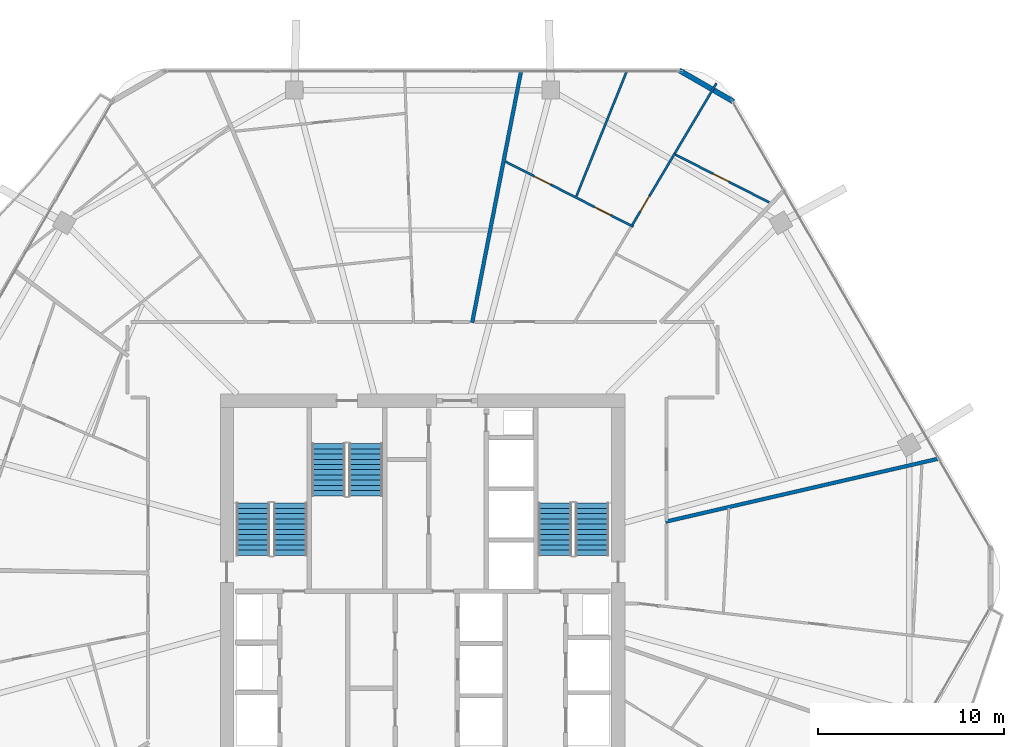
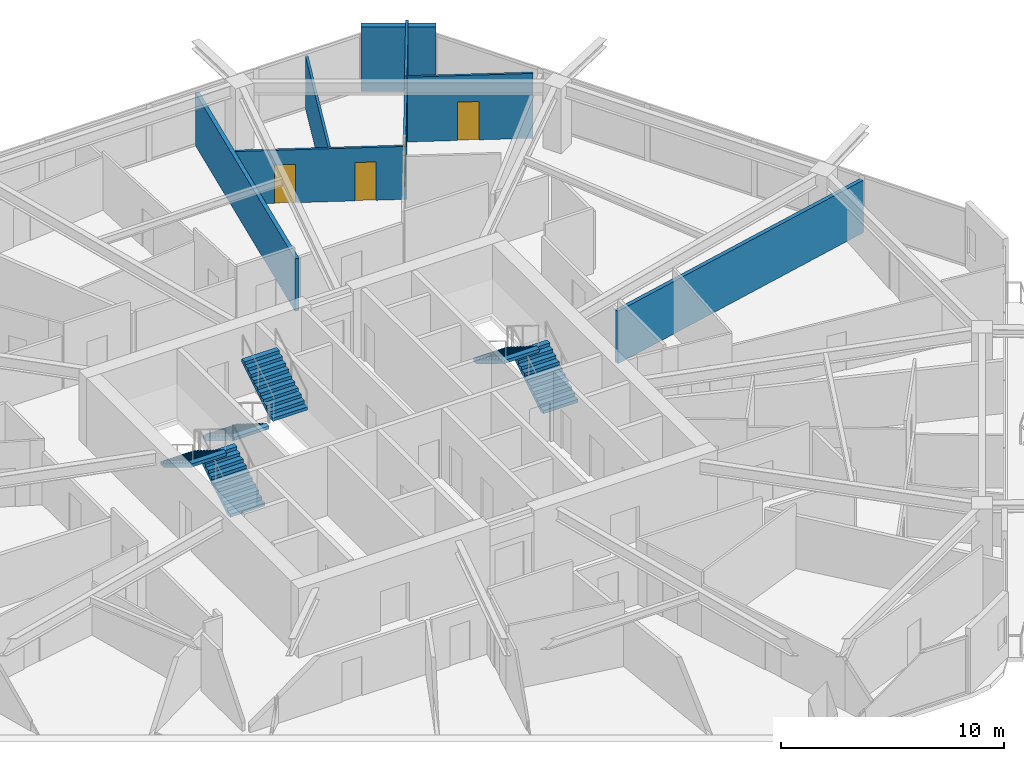
# One storey, part 22 of 26: 8 walls, 6 stair flights, 4 doors, 4 openings, 3 elements without a shape of their own.
"""IFC4 building model written with IfcOpenShell, lengths in metres."""

from ifc_helpers import new_model, si_unit, direction, frame, frame_2d, origin, place, context, subcontext, project, spatial, polyline, rectangle, outline, extrude, material, layer, layer_set, type_object, element, fill, aggregate, save


model = new_model("IFC4")

# Units and contexts
model_context = context("Model", 3, precision=1e-05, world=origin(), true_north=direction((0.0, 1.0)))
body_context = subcontext(model_context, "Body", "Model", "MODEL_VIEW")
ifc_project = project(units=[si_unit("LENGTHUNIT", "METRE"), si_unit("AREAUNIT", "SQUARE_METRE"), si_unit("VOLUMEUNIT", "CUBIC_METRE"), si_unit("PLANEANGLEUNIT", "RADIAN"), si_unit("MASSUNIT", "GRAM", prefix="KILO")], contexts=[model_context])

# Site, building, storey
site_placement = place(None, origin())
site = spatial("IfcSite", under=ifc_project, at=site_placement, CompositionType="ELEMENT")
building_placement = place(site_placement, origin())
building = spatial("IfcBuilding", under=site, at=building_placement, Name="Zuhravey Tower", CompositionType="ELEMENT")
storey_placement = place(building_placement, frame((0.0, 0.0, 211.199951171875)))
storey = spatial("IfcBuildingStorey", under=building, at=storey_placement, Name="L53", CompositionType="ELEMENT", Elevation=211.199951171875)

# Walls
ifc_material_1 = material(Name="Precast concrete C40/50", Category="concrete")
ifc_layer_1 = layer(ifc_material_1, 0.280029296875)
ifc_layer_set_1 = layer_set([ifc_layer_1], Name="Precast concrete C40/50")
wall_type_1 = type_object("IfcWallType", Name="Crown Architectural Wall 280", PredefinedType="SOLIDWALL", material=ifc_layer_set_1)
wall_1_placement = place(storey_placement, frame((49.77880859375, 59.230712890625, 0.0), z_axis=(0.0, 0.0, 1.0), x_axis=(0.866020068361, -0.500009241111, 0.0)))
element("IfcWall", 1, at=wall_1_placement, inside=storey, type_object=wall_type_1, Name="L53 Rounded Corner Closure Wall EW28-10", PredefinedType="SOLIDWALL", context=body_context, shape_type="SweptSolid", body=[
    extrude(rectangle(XDim=3.365234375, YDim=0.280029296875, at=frame_2d((1.6826171875, 0.0))), origin(), (0.0, 0.0, 1.0), 3.550048828125),
])
ifc_material_2 = material(Name="Gypsum double-stud party assembly")
ifc_layer_2 = layer(ifc_material_2, 0.199951171875)
ifc_layer_set_2 = layer_set([ifc_layer_2], Name="Gypsum double-stud party assembly")
wall_type_2 = type_object("IfcWallType", Name="Inter-Tenancy Party Wall 200", PredefinedType="PARTITIONING", material=ifc_layer_set_2)
wall_2_placement = place(storey_placement, frame((38.6611328125, 45.68994140625, 0.0), z_axis=(0.0, 0.0, 1.0), x_axis=(0.190808808393, 0.981627219794, 0.0)))
element("IfcWall", 2, at=wall_2_placement, inside=storey, type_object=wall_type_2, Name="L53 IW20 Partition 081", PredefinedType="PARTITIONING", context=body_context, shape_type="SweptSolid", body=[
    extrude(rectangle(XDim=13.74560546875, YDim=0.199951171875, at=frame_2d((6.872802734375, 0.0))), origin(), (0.0, 0.0, 1.0), 2.8701171875),
])
wall_3_placement = place(storey_placement, frame((49.0400390625, 35.010498046875, 0.0), z_axis=(0.0, 0.0, 1.0), x_axis=(0.974369033518, 0.224955521206, 0.0)))
element("IfcWall", 3, at=wall_3_placement, inside=storey, type_object=wall_type_2, Name="L53 IW20 Partition 121", PredefinedType="PARTITIONING", context=body_context, shape_type="SweptSolid", body=[
    extrude(rectangle(XDim=15.0419921875, YDim=0.199951171875, at=frame_2d((7.52099609375, 0.0))), origin(), (0.0, 0.0, 1.0), 2.8701171875),
])

# Wall, openings, doors
ifc_material_3 = material(Name="Gypsum metal-stud partition")
ifc_layer_3 = layer(ifc_material_3, 0.1201171875)
ifc_layer_set_3 = layer_set([ifc_layer_3], Name="Gypsum metal-stud partition")
wall_type_3 = type_object("IfcWallType", Name="Unit Internal Partition 120", PredefinedType="PARTITIONING", material=ifc_layer_set_3)
wall_4_placement = place(storey_placement, frame((47.310302734375, 50.837890625, 0.0), z_axis=(0.0, 0.0, 1.0), x_axis=(-0.890999610934, 0.45400406751, 0.0)))
wall_4 = element("IfcWall", 4, at=wall_4_placement, inside=storey, type_object=wall_type_3, Name="L53 IW12 Partition 020", PredefinedType="PARTITIONING", context=body_context, shape_type="SweptSolid", body=[
    extrude(rectangle(XDim=7.7080078125, YDim=0.1201171875, at=frame_2d((3.85400390625, 0.0))), origin(), (0.0, 0.0, 1.0), 2.900146484375),
])
opening_1_placement = place(wall_4_placement, frame((1.376708984375, 0.0, 0.0)))
opening_1 = element("IfcOpeningElement", 5, at=opening_1_placement, cuts=wall_4, Name="Opening IND1", PredefinedType="OPENING", context=body_context, shape_type="SweptSolid", body=[
    extrude(rectangle(XDim=0.949951171875, YDim=2.10009765625, at=frame_2d((0.47509765625, 1.050048828125))), frame((0.0, 0.072021484375, 0.0), z_axis=(0.0, -1.0, 0.0), x_axis=(1.0, 0.0, 0.0)), (0.0, 0.0, 1.0), 0.14404296875),
])
opening_2_placement = place(wall_4_placement, frame((4.990478515625, 0.0, 0.0)))
opening_2 = element("IfcOpeningElement", 6, at=opening_2_placement, cuts=wall_4, Name="Opening IND1", PredefinedType="OPENING", context=body_context, shape_type="SweptSolid", body=[
    extrude(rectangle(XDim=0.949951171875, YDim=2.10009765625, at=frame_2d((0.47509765625, 1.050048828125))), frame((0.0, 0.072021484375, 0.0), z_axis=(0.0, -1.0, 0.0), x_axis=(1.0, 0.0, 0.0)), (0.0, 0.0, 1.0), 0.14404296875),
])
ifc_material_4 = material(Name="Painted engineered timber leaf", Category="wood")
door_type = type_object("IfcDoorType", Name="Internal Room & Bedroom Door 950x2100", OperationType="NOTDEFINED", PredefinedType="DOOR", material=ifc_material_4)
door_1_placement = place(opening_1_placement, frame((0.949951171875, 0.0, 0.0), z_axis=(0.0, 0.0, 1.0), x_axis=(-1.0, 0.0, 0.0)))
door_1 = element("IfcDoor", 7, at=door_1_placement, inside=storey, type_object=door_type, Name="Apartment L53-01 Family Study Door", OperationType="SINGLE_SWING_LEFT", OverallHeight=2.10009765625, OverallWidth=0.949951171875, PredefinedType="DOOR", context=body_context, shape_type="SweptSolid", body=[
    extrude(rectangle(XDim=0.949951171875, YDim=2.10009765625, at=frame_2d((0.47509765625, 1.050048828125))), frame((0.0, 0.02490234375, 0.0), z_axis=(0.0, -1.0, 0.0), x_axis=(1.0, 0.0, 0.0)), (0.0, 0.0, 1.0), 0.050048828125),
])
fill(opening_1, door_1)
door_2_placement = place(opening_2_placement, frame((0.949951171875, 0.0, 0.0), z_axis=(0.0, 0.0, 1.0), x_axis=(-1.0, 0.0, 0.0)))
door_2 = element("IfcDoor", 8, at=door_2_placement, inside=storey, type_object=door_type, Name="Apartment L53-01 Dining Room Door", OperationType="SINGLE_SWING_RIGHT", OverallHeight=2.10009765625, OverallWidth=0.949951171875, PredefinedType="DOOR", context=body_context, shape_type="SweptSolid", body=[
    extrude(rectangle(XDim=0.949951171875, YDim=2.10009765625, at=frame_2d((0.47509765625, 1.050048828125))), frame((0.0, 0.02490234375, 0.0), z_axis=(0.0, -1.0, 0.0), x_axis=(1.0, 0.0, 0.0)), (0.0, 0.0, 1.0), 0.050048828125),
])
fill(opening_2, door_2)

# Wall, opening, door
wall_5_placement = place(storey_placement, frame((47.255859375, 50.94189453125, 0.0), z_axis=(0.0, 0.0, 1.0), x_axis=(0.510837189242, 0.859677477946, 0.0)))
wall_5 = element("IfcWall", 9, at=wall_5_placement, inside=storey, type_object=wall_type_3, Name="L53 IW12 Partition 023", PredefinedType="PARTITIONING", context=body_context, shape_type="SweptSolid", body=[
    extrude(rectangle(XDim=4.44140625, YDim=0.1201171875, at=frame_2d((2.220703125, 0.0))), origin(), (0.0, 0.0, 1.0), 2.8701171875),
])
opening_3_placement = place(wall_5_placement, frame((0.8330078125, 0.0, 0.0)))
opening_3 = element("IfcOpeningElement", 10, at=opening_3_placement, cuts=wall_5, Name="Opening IND1", PredefinedType="OPENING", context=body_context, shape_type="SweptSolid", body=[
    extrude(rectangle(XDim=0.949951171875, YDim=2.10009765625, at=frame_2d((0.47509765625, 1.050048828125))), frame((0.0, 0.072021484375, 0.0), z_axis=(0.0, -1.0, 0.0), x_axis=(1.0, 0.0, 0.0)), (0.0, 0.0, 1.0), 0.14404296875),
])
door_3_placement = place(opening_3_placement, frame((0.949951171875, 0.0, 0.0), z_axis=(0.0, 0.0, 1.0), x_axis=(-1.0, 0.0, 0.0)))
door_3 = element("IfcDoor", 11, at=door_3_placement, inside=storey, type_object=door_type, Name="Apartment L53-01 Home Office Door", OperationType="SINGLE_SWING_RIGHT", OverallHeight=2.10009765625, OverallWidth=0.949951171875, PredefinedType="DOOR", context=body_context, shape_type="SweptSolid", body=[
    extrude(rectangle(XDim=0.949951171875, YDim=2.10009765625, at=frame_2d((0.47509765625, 1.050048828125))), frame((0.0, 0.02490234375, 0.0), z_axis=(0.0, -1.0, 0.0), x_axis=(1.0, 0.0, 0.0)), (0.0, 0.0, 1.0), 0.050048828125),
])
fill(opening_3, door_3)

wall_6_placement = place(storey_placement, frame((54.597412109375, 52.1474609375, 0.0), z_axis=(0.0, 0.0, 1.0), x_axis=(-0.891024959867, 0.453954315867, 0.0)))
wall_6 = element("IfcWall", 12, at=wall_6_placement, inside=storey, type_object=wall_type_3, Name="L53 IW12 Partition 024", PredefinedType="PARTITIONING", context=body_context, shape_type="SweptSolid", body=[
    extrude(rectangle(XDim=5.639404296875, YDim=0.1201171875, at=frame_2d((2.81982421875, 0.0))), origin(), (0.0, 0.0, 1.0), 3.550048828125),
])
opening_4_placement = place(wall_6_placement, frame((2.4287109375, 0.0, 0.0)))
opening_4 = element("IfcOpeningElement", 13, at=opening_4_placement, cuts=wall_6, Name="Opening IND1", PredefinedType="OPENING", context=body_context, shape_type="SweptSolid", body=[
    extrude(rectangle(XDim=0.949951171875, YDim=2.10009765625, at=frame_2d((0.47509765625, 1.050048828125))), frame((0.0, 0.072021484375, 0.0), z_axis=(0.0, -1.0, 0.0), x_axis=(1.0, 0.0, 0.0)), (0.0, 0.0, 1.0), 0.14404296875),
])
door_4_placement = place(opening_4_placement, frame((0.949951171875, 0.0, 0.0), z_axis=(0.0, 0.0, 1.0), x_axis=(-1.0, 0.0, 0.0)))
door_4 = element("IfcDoor", 14, at=door_4_placement, inside=storey, type_object=door_type, Name="Apartment L53-01 Kitchen Door", OperationType="SINGLE_SWING_LEFT", OverallHeight=2.10009765625, OverallWidth=0.949951171875, PredefinedType="DOOR", context=body_context, shape_type="SweptSolid", body=[
    extrude(rectangle(XDim=0.949951171875, YDim=2.10009765625, at=frame_2d((0.47509765625, 1.050048828125))), frame((0.0, 0.02490234375, 0.0), z_axis=(0.0, -1.0, 0.0), x_axis=(1.0, 0.0, 0.0)), (0.0, 0.0, 1.0), 0.050048828125),
])
fill(opening_4, door_4)

# Walls
wall_7_placement = place(storey_placement, frame((44.250732421875, 52.47314453125, 0.0), z_axis=(0.0, 0.0, 1.0), x_axis=(0.373770231309, 0.927521328158, 0.0)))
element("IfcWall", 15, at=wall_7_placement, inside=storey, type_object=wall_type_3, Name="L53 IW12 Partition 077", PredefinedType="PARTITIONING", context=body_context, shape_type="SweptSolid", body=[
    extrude(rectangle(XDim=7.2666015625, YDim=0.1201171875, at=frame_2d((3.63330078125, 0.0))), origin(), (0.0, 0.0, 1.0), 2.8701171875),
])
wall_8_placement = place(storey_placement, frame((49.524658203125, 54.760009765625, 0.0), z_axis=(0.0, 0.0, 1.0), x_axis=(0.51083552575, 0.859678466423, 0.0)))
element("IfcWall", 16, at=wall_8_placement, inside=storey, type_object=wall_type_3, Name="L53 IW12 Partition 079", PredefinedType="PARTITIONING", context=body_context, shape_type="SweptSolid", body=[
    extrude(rectangle(XDim=4.39013671875, YDim=0.1201171875, at=frame_2d((2.195068359375, 0.0))), origin(), (0.0, 0.0, 1.0), 3.550048828125),
])

# Stair, stair flights
ifc_material_5 = material(Name="Concrete C40/50", Category="concrete")
stair_type = type_object("IfcStairType", Name="Housing Storey Stair Assembly 3800", PredefinedType="HALF_TURN_STAIR", material=ifc_material_5)
stair_1_placement = place(storey_placement, origin())
stair_1 = element("IfcStair", 17, at=stair_1_placement, inside=storey, type_object=stair_type, Name="L53 Core Exit Stair ST1", PredefinedType="HALF_TURN_STAIR")
stair_flight_type = type_object("IfcStairFlightType", Name="Housing Storey Stair Flight 3800", PredefinedType="STRAIGHT", material=ifc_material_5)
stair_flight_1_placement = place(storey_placement, frame((28.89990234375, 33.199951171875, 0.0), z_axis=(0.0, 0.0, 1.0), x_axis=(0.0, 1.0, 0.0)))
stair_flight_1 = element("IfcStairFlight", 18, at=stair_flight_1_placement, type_object=stair_flight_type, Name="ST1 flight 1", NumberOfRisers=11, NumberOfTreads=10, PredefinedType="STRAIGHT", RiserHeight=0.172727273, TreadLength=0.28, context=body_context, shape_type="SweptSolid", body=[
    extrude(outline(polyline([(0.0, 0.0), (0.0, 0.172607421875), (0.280029296875, 0.172607421875), (0.280029296875, 0.345458984375), (0.56005859375, 0.345458984375), (0.56005859375, 0.51806640625), (0.840087890625, 0.51806640625), (0.840087890625, 0.69091796875), (1.1201171875, 0.69091796875), (1.1201171875, 0.863525390625), (1.39990234375, 0.863525390625), (1.39990234375, 1.036376953125), (1.679931640625, 1.036376953125), (1.679931640625, 1.208984375), (1.9599609375, 1.208984375), (1.9599609375, 1.3818359375), (2.239990234375, 1.3818359375), (2.239990234375, 1.554443359375), (2.52001953125, 1.554443359375), (2.52001953125, 1.727294921875), (2.800048828125, 1.727294921875), (2.800048828125, 1.89990234375), (2.800048828125, 1.551025390625), (0.285400390625, 0.0), (0.0, 0.0)])), frame((0.0, 0.89990234375, 0.0), z_axis=(0.0, -1.0, 0.0), x_axis=(1.0, 0.0, 0.0)), (0.0, 0.0, 1.0), 1.800048828125),
])
stair_flight_2_placement = place(storey_placement, frame((26.89990234375, 36.0, 1.900146484375), z_axis=(0.0, 0.0, 1.0), x_axis=(0.0, -1.0, 0.0)))
stair_flight_2 = element("IfcStairFlight", 19, at=stair_flight_2_placement, type_object=stair_flight_type, Name="ST1 flight 2", NumberOfRisers=11, NumberOfTreads=10, PredefinedType="STRAIGHT", RiserHeight=0.172727273, TreadLength=0.28, context=body_context, shape_type="SweptSolid", body=[
    extrude(outline(polyline([(0.0, 0.0), (0.0, 0.172607421875), (0.280029296875, 0.172607421875), (0.280029296875, 0.345458984375), (0.56005859375, 0.345458984375), (0.56005859375, 0.51806640625), (0.840087890625, 0.51806640625), (0.840087890625, 0.69091796875), (1.1201171875, 0.69091796875), (1.1201171875, 0.863525390625), (1.39990234375, 0.863525390625), (1.39990234375, 1.036376953125), (1.679931640625, 1.036376953125), (1.679931640625, 1.208984375), (1.9599609375, 1.208984375), (1.9599609375, 1.3818359375), (2.239990234375, 1.3818359375), (2.239990234375, 1.554443359375), (2.52001953125, 1.554443359375), (2.52001953125, 1.727294921875), (2.800048828125, 1.727294921875), (2.800048828125, 1.89990234375), (2.800048828125, 1.551025390625), (0.285400390625, 0.0), (0.0, 0.0)])), frame((0.0, 0.89990234375, 0.0), z_axis=(0.0, -1.0, 0.0), x_axis=(1.0, 0.0, 0.0)), (0.0, 0.0, 1.0), 1.800048828125),
])
aggregate(stair_1, [stair_flight_1, stair_flight_2])

stair_2_placement = place(storey_placement, origin())
stair_2 = element("IfcStair", 20, at=stair_2_placement, inside=storey, type_object=stair_type, Name="L53 Core Exit Stair ST2", PredefinedType="HALF_TURN_STAIR")
stair_flight_3_placement = place(storey_placement, frame((45.10009765625, 33.199951171875, 0.0), z_axis=(0.0, 0.0, 1.0), x_axis=(0.0, 1.0, 0.0)))
stair_flight_3 = element("IfcStairFlight", 21, at=stair_flight_3_placement, type_object=stair_flight_type, Name="ST2 flight 1", NumberOfRisers=11, NumberOfTreads=10, PredefinedType="STRAIGHT", RiserHeight=0.172727273, TreadLength=0.28, context=body_context, shape_type="SweptSolid", body=[
    extrude(outline(polyline([(0.0, 0.0), (0.0, 0.172607421875), (0.280029296875, 0.172607421875), (0.280029296875, 0.345458984375), (0.56005859375, 0.345458984375), (0.56005859375, 0.51806640625), (0.840087890625, 0.51806640625), (0.840087890625, 0.69091796875), (1.1201171875, 0.69091796875), (1.1201171875, 0.863525390625), (1.39990234375, 0.863525390625), (1.39990234375, 1.036376953125), (1.679931640625, 1.036376953125), (1.679931640625, 1.208984375), (1.9599609375, 1.208984375), (1.9599609375, 1.3818359375), (2.239990234375, 1.3818359375), (2.239990234375, 1.554443359375), (2.52001953125, 1.554443359375), (2.52001953125, 1.727294921875), (2.800048828125, 1.727294921875), (2.800048828125, 1.89990234375), (2.800048828125, 1.551025390625), (0.285400390625, 0.0), (0.0, 0.0)])), frame((0.0, 0.89990234375, 0.0), z_axis=(0.0, -1.0, 0.0), x_axis=(1.0, 0.0, 0.0)), (0.0, 0.0, 1.0), 1.800048828125),
])
stair_flight_4_placement = place(storey_placement, frame((43.10009765625, 36.0, 1.900146484375), z_axis=(0.0, 0.0, 1.0), x_axis=(0.0, -1.0, 0.0)))
stair_flight_4 = element("IfcStairFlight", 22, at=stair_flight_4_placement, type_object=stair_flight_type, Name="ST2 flight 2", NumberOfRisers=11, NumberOfTreads=10, PredefinedType="STRAIGHT", RiserHeight=0.172727273, TreadLength=0.28, context=body_context, shape_type="SweptSolid", body=[
    extrude(outline(polyline([(0.0, 0.0), (0.0, 0.172607421875), (0.280029296875, 0.172607421875), (0.280029296875, 0.345458984375), (0.56005859375, 0.345458984375), (0.56005859375, 0.51806640625), (0.840087890625, 0.51806640625), (0.840087890625, 0.69091796875), (1.1201171875, 0.69091796875), (1.1201171875, 0.863525390625), (1.39990234375, 0.863525390625), (1.39990234375, 1.036376953125), (1.679931640625, 1.036376953125), (1.679931640625, 1.208984375), (1.9599609375, 1.208984375), (1.9599609375, 1.3818359375), (2.239990234375, 1.3818359375), (2.239990234375, 1.554443359375), (2.52001953125, 1.554443359375), (2.52001953125, 1.727294921875), (2.800048828125, 1.727294921875), (2.800048828125, 1.89990234375), (2.800048828125, 1.551025390625), (0.285400390625, 0.0), (0.0, 0.0)])), frame((0.0, 0.89990234375, 0.0), z_axis=(0.0, -1.0, 0.0), x_axis=(1.0, 0.0, 0.0)), (0.0, 0.0, 1.0), 1.800048828125),
])
aggregate(stair_2, [stair_flight_3, stair_flight_4])

stair_3_placement = place(storey_placement, origin())
stair_3 = element("IfcStair", 23, at=stair_3_placement, inside=storey, type_object=stair_type, Name="L53 Core Exit Stair ST3", PredefinedType="HALF_TURN_STAIR")
stair_flight_5_placement = place(storey_placement, frame((30.949951171875, 39.199951171875, 0.0), z_axis=(0.0, 0.0, 1.0), x_axis=(0.0, -1.0, 0.0)))
stair_flight_5 = element("IfcStairFlight", 24, at=stair_flight_5_placement, type_object=stair_flight_type, Name="ST3 flight 1", NumberOfRisers=11, NumberOfTreads=10, PredefinedType="STRAIGHT", RiserHeight=0.172727273, TreadLength=0.28, context=body_context, shape_type="SweptSolid", body=[
    extrude(outline(polyline([(0.0, 0.0), (0.0, 0.172607421875), (0.280029296875, 0.172607421875), (0.280029296875, 0.345458984375), (0.56005859375, 0.345458984375), (0.56005859375, 0.51806640625), (0.840087890625, 0.51806640625), (0.840087890625, 0.69091796875), (1.1201171875, 0.69091796875), (1.1201171875, 0.863525390625), (1.39990234375, 0.863525390625), (1.39990234375, 1.036376953125), (1.679931640625, 1.036376953125), (1.679931640625, 1.208984375), (1.9599609375, 1.208984375), (1.9599609375, 1.3818359375), (2.239990234375, 1.3818359375), (2.239990234375, 1.554443359375), (2.52001953125, 1.554443359375), (2.52001953125, 1.727294921875), (2.800048828125, 1.727294921875), (2.800048828125, 1.89990234375), (2.800048828125, 1.551025390625), (0.285400390625, 0.0), (0.0, 0.0)])), frame((0.0, 0.89990234375, 0.0), z_axis=(0.0, -1.0, 0.0), x_axis=(1.0, 0.0, 0.0)), (0.0, 0.0, 1.0), 1.800048828125),
])
stair_flight_6_placement = place(storey_placement, frame((32.949951171875, 36.39990234375, 1.900146484375), z_axis=(0.0, 0.0, 1.0), x_axis=(0.0, 1.0, 0.0)))
stair_flight_6 = element("IfcStairFlight", 25, at=stair_flight_6_placement, type_object=stair_flight_type, Name="ST3 flight 2", NumberOfRisers=11, NumberOfTreads=10, PredefinedType="STRAIGHT", RiserHeight=0.172727273, TreadLength=0.28, context=body_context, shape_type="SweptSolid", body=[
    extrude(outline(polyline([(0.0, 0.0), (0.0, 0.172607421875), (0.280029296875, 0.172607421875), (0.280029296875, 0.345458984375), (0.56005859375, 0.345458984375), (0.56005859375, 0.51806640625), (0.840087890625, 0.51806640625), (0.840087890625, 0.69091796875), (1.1201171875, 0.69091796875), (1.1201171875, 0.863525390625), (1.39990234375, 0.863525390625), (1.39990234375, 1.036376953125), (1.679931640625, 1.036376953125), (1.679931640625, 1.208984375), (1.9599609375, 1.208984375), (1.9599609375, 1.3818359375), (2.239990234375, 1.3818359375), (2.239990234375, 1.554443359375), (2.52001953125, 1.554443359375), (2.52001953125, 1.727294921875), (2.800048828125, 1.727294921875), (2.800048828125, 1.89990234375), (2.800048828125, 1.551025390625), (0.285400390625, 0.0), (0.0, 0.0)])), frame((0.0, 0.89990234375, 0.0), z_axis=(0.0, -1.0, 0.0), x_axis=(1.0, 0.0, 0.0)), (0.0, 0.0, 1.0), 1.800048828125),
])
aggregate(stair_3, [stair_flight_5, stair_flight_6])

save(model, "model.ifc")
